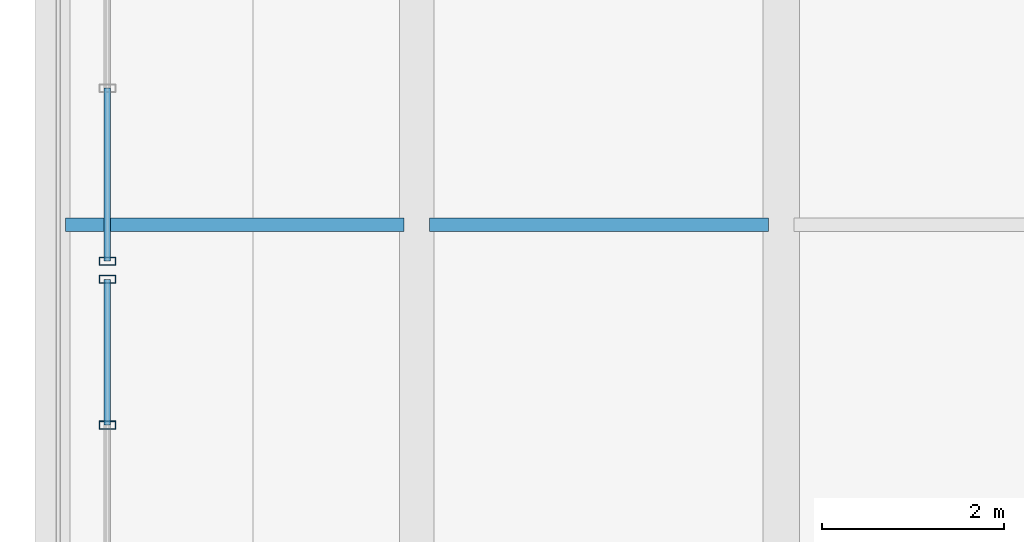
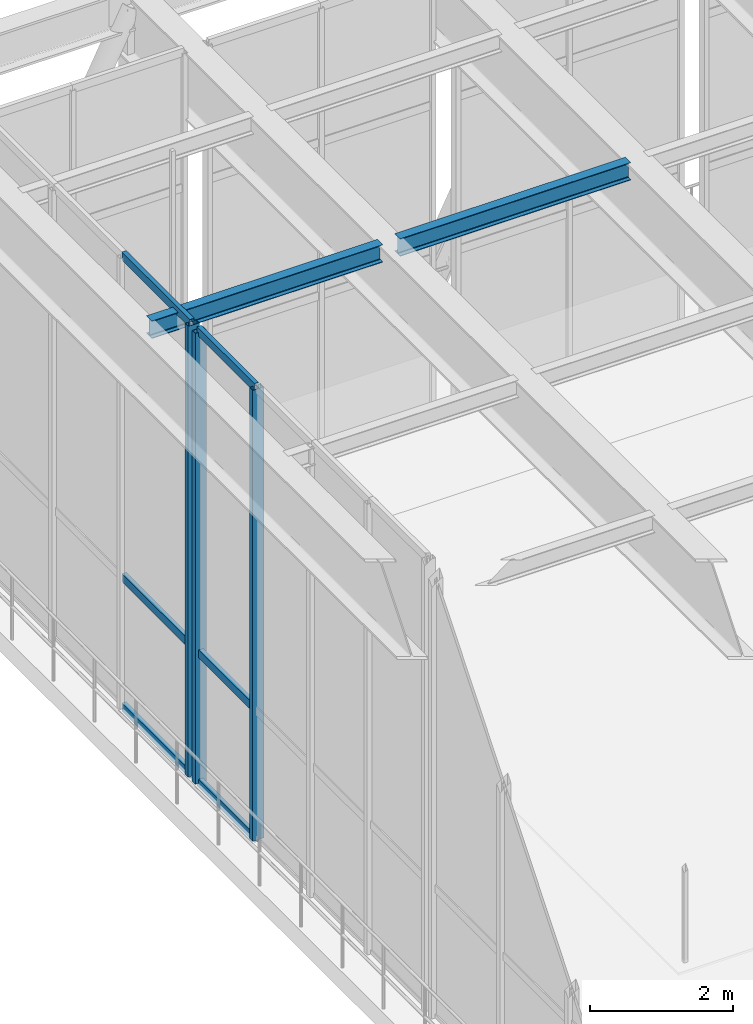
# One storey, part 26 of 138: 9 members, 2 beams, 2 elements without a shape of their own.
"""IFC4 building model written with IfcOpenShell, lengths in metres."""

from ifc_helpers import new_model, si_unit, direction, frame, origin, origin_2d, place, context, subcontext, project, spatial, hollow_rectangle, i_section, extrude, material, material_profile, profile_set, type_object, element, aggregate, save


model = new_model("IFC4")

# Units and contexts
model_context = context("Model", 3, precision=1e-05, world=origin(), true_north=direction((0.0, 1.0)))
body_context = subcontext(model_context, "Body", "Model", "MODEL_VIEW")
ifc_project = project(units=[si_unit("LENGTHUNIT", "METRE"), si_unit("AREAUNIT", "SQUARE_METRE"), si_unit("VOLUMEUNIT", "CUBIC_METRE"), si_unit("PLANEANGLEUNIT", "RADIAN"), si_unit("MASSUNIT", "GRAM", prefix="KILO")], contexts=[model_context])

# Site, building, storey
site_placement = place(None, origin())
site = spatial("IfcSite", under=ifc_project, at=site_placement, CompositionType="ELEMENT")
building_placement = place(site_placement, origin())
building = spatial("IfcBuilding", under=site, at=building_placement, Name="Sundkrona Museum", CompositionType="ELEMENT")
storey_placement = place(building_placement, frame((0.0, 0.0, 9.60009765625)))
storey = spatial("IfcBuildingStorey", under=building, at=storey_placement, Name="L02", CompositionType="ELEMENT", Elevation=9.60009765625)

# Beams
ifc_material_1 = material(Name="Steel S355J2", Category="steel")
ifc_material_profile_1 = material_profile(ifc_material_1, i_section(OverallWidth=0.14990234375, OverallDepth=0.300048828125, WebThickness=0.007080078125, FlangeThickness=0.0107421875, FilletRadius=0.014892578125, at=origin_2d()), Name="IPE 300")
ifc_profile_set_1 = profile_set([ifc_material_profile_1], Name="Steel S355J2")
beam_type = type_object("IfcBeamType", Name="J-IPE300", PredefinedType="JOIST", material=ifc_profile_set_1)
for number, where, z_axis, x_axis, name in (
    (1, (4.139892578125, 46.800048828125, 7.52490234375), (1.0, 0.0, 0.0), (0.0, 1.0, 0.0), "L02 Cantilever Floor Joist"),
    (2, (8.139892578125, 46.800048828125, 7.52490234375), (1.0, 0.0, 0.0), (0.0, 1.0, 0.0), "L02 Cantilever Floor Joist"),
):
    element("IfcBeam", number, at=place(storey_placement, frame(where, z_axis=z_axis, x_axis=x_axis)), inside=storey, type_object=beam_type, Name=name, PredefinedType="JOIST", context=body_context, shape_type="SweptSolid", body=[
        extrude(i_section(OverallWidth=0.14990234375, OverallDepth=0.300048828125, WebThickness=0.007080078125, FlangeThickness=0.0107421875, FilletRadius=0.014892578125, at=origin_2d()), origin(), (0.0, 0.0, 1.0), 3.72021484375),
    ])

# Curtain wall, members
ifc_material_2 = material(Name="Unitised Aluminium-Steel and Ceramic-Clad Curtain Walling", Category="steel")
curtain_wall_type = type_object("IfcCurtainWallType", Name="CW-CV-68x74", PredefinedType="NOTDEFINED", material=ifc_material_2)
curtain_wall_1_placement = place(storey_placement, origin())
curtain_wall_1 = element("IfcCurtainWall", 3, at=curtain_wall_1_placement, inside=storey, type_object=curtain_wall_type, Name="L02 Curtain Wall CW-CV-TIP-L02-39", PredefinedType="NOTDEFINED")
ifc_material_3 = material(Name="Aluminium EN AW-6060 T66", Category="aluminium")
ifc_material_profile_2 = material_profile(ifc_material_3, hollow_rectangle(XDim=0.090087890625, YDim=0.179931640625, WallThickness=0.00634765625, at=origin_2d()), Name="RHS 180x90x6.3")
ifc_profile_set_2 = profile_set([ifc_material_profile_2], Name="Aluminium EN AW-6060 T66")
member_type_1 = type_object("IfcMemberType", Name="ML-180", PredefinedType="MULLION", material=ifc_profile_set_2)
member_1_placement = place(storey_placement, frame((4.60009765625, 44.60009765625, -0.004150390625), z_axis=(0.0, 0.0, 1.0), x_axis=(0.0, 1.0, 0.0)))
member_1 = element("IfcMember", 4, at=member_1_placement, type_object=member_type_1, Name="CW-CV-TIP-L02-39 Mullion 04", PredefinedType="MULLION", context=body_context, shape_type="SweptSolid", body=[
    extrude(hollow_rectangle(XDim=0.090087890625, YDim=0.179931640625, WallThickness=0.00634765625, at=origin_2d()), origin(), (0.0, 0.0, 1.0), 7.68310546875),
])
member_2_placement = place(storey_placement, frame((4.60009765625, 46.199951171875, -0.004150390625), z_axis=(0.0, 0.0, 1.0), x_axis=(0.0, 1.0, 0.0)))
member_2 = element("IfcMember", 5, at=member_2_placement, type_object=member_type_1, Name="CW-CV-TIP-L02-39 Mullion 05", PredefinedType="MULLION", context=body_context, shape_type="SweptSolid", body=[
    extrude(hollow_rectangle(XDim=0.090087890625, YDim=0.179931640625, WallThickness=0.00634765625, at=origin_2d()), origin(), (0.0, 0.0, 1.0), 7.68310546875),
])

# Curtain wall, member
curtain_wall_2_placement = place(storey_placement, origin())
curtain_wall_2 = element("IfcCurtainWall", 6, at=curtain_wall_2_placement, inside=storey, type_object=curtain_wall_type, Name="L02 Curtain Wall CW-CV-TIP-L02-46", PredefinedType="NOTDEFINED")
member_3_placement = place(storey_placement, frame((4.60009765625, 46.39990234375, -0.004150390625), z_axis=(0.0, 0.0, 1.0), x_axis=(0.0, 1.0, 0.0)))
member_3 = element("IfcMember", 7, at=member_3_placement, type_object=member_type_1, Name="CW-CV-TIP-L02-46 Mullion 01", PredefinedType="MULLION", context=body_context, shape_type="SweptSolid", body=[
    extrude(hollow_rectangle(XDim=0.090087890625, YDim=0.179931640625, WallThickness=0.00634765625, at=origin_2d()), origin(), (0.0, 0.0, 1.0), 7.68310546875),
])

# Member
ifc_material_profile_3 = material_profile(ifc_material_3, hollow_rectangle(XDim=0.070068359375, YDim=0.139892578125, WallThickness=0.0048828125, at=origin_2d()), Name="RHS 140x70x5.0")
ifc_profile_set_3 = profile_set([ifc_material_profile_3], Name="Aluminium EN AW-6060 T66")
member_type_2 = type_object("IfcMemberType", Name="TR-140", PredefinedType="USERDEFINED", material=ifc_profile_set_3)
member_4_placement = place(storey_placement, frame((4.60009765625, 44.60009765625, -0.004150390625), z_axis=(0.0, 1.0, 0.0), x_axis=(-1.0, 0.0, 0.0)))
member_4 = element("IfcMember", 8, at=member_4_placement, type_object=member_type_2, Name="CW-CV-TIP-L02-39 Transom 10", ObjectType="TRANSOM", PredefinedType="USERDEFINED", context=body_context, shape_type="SweptSolid", body=[
    extrude(hollow_rectangle(XDim=0.070068359375, YDim=0.139892578125, WallThickness=0.0048828125, at=origin_2d()), origin(), (0.0, 0.0, 1.0), 1.599853515625),
])

member_5_placement = place(storey_placement, frame((4.60009765625, 44.60009765625, 2.199951171875), z_axis=(0.0, 1.0, 0.0), x_axis=(-1.0, 0.0, 0.0)))
member_5 = element("IfcMember", 9, at=member_5_placement, type_object=member_type_2, Name="CW-CV-TIP-L02-39 Transom 11", ObjectType="TRANSOM", PredefinedType="USERDEFINED", context=body_context, shape_type="SweptSolid", body=[
    extrude(hollow_rectangle(XDim=0.070068359375, YDim=0.139892578125, WallThickness=0.0048828125, at=origin_2d()), origin(), (0.0, 0.0, 1.0), 1.599853515625),
])

member_6_placement = place(storey_placement, frame((4.60009765625, 44.60009765625, 7.678955078125), z_axis=(0.0, 1.0, 0.0), x_axis=(-1.0, 0.0, 0.0)))
member_6 = element("IfcMember", 10, at=member_6_placement, type_object=member_type_2, Name="CW-CV-TIP-L02-39 Transom 12", ObjectType="TRANSOM", PredefinedType="USERDEFINED", context=body_context, shape_type="SweptSolid", body=[
    extrude(hollow_rectangle(XDim=0.070068359375, YDim=0.139892578125, WallThickness=0.0048828125, at=origin_2d()), origin(), (0.0, 0.0, 1.0), 1.599853515625),
])

aggregate(curtain_wall_1, [member_1, member_2, member_4, member_5, member_6])

member_7_placement = place(storey_placement, frame((4.60009765625, 46.39990234375, -0.004150390625), z_axis=(0.0, 1.0, 0.0), x_axis=(-1.0, 0.0, 0.0)))
member_7 = element("IfcMember", 11, at=member_7_placement, type_object=member_type_2, Name="CW-CV-TIP-L02-46 Transom 01", ObjectType="TRANSOM", PredefinedType="USERDEFINED", context=body_context, shape_type="SweptSolid", body=[
    extrude(hollow_rectangle(XDim=0.070068359375, YDim=0.139892578125, WallThickness=0.0048828125, at=origin_2d()), origin(), (0.0, 0.0, 1.0), 1.900146484375),
])

member_8_placement = place(storey_placement, frame((4.60009765625, 46.39990234375, 2.199951171875), z_axis=(0.0, 1.0, 0.0), x_axis=(-1.0, 0.0, 0.0)))
member_8 = element("IfcMember", 12, at=member_8_placement, type_object=member_type_2, Name="CW-CV-TIP-L02-46 Transom 02", ObjectType="TRANSOM", PredefinedType="USERDEFINED", context=body_context, shape_type="SweptSolid", body=[
    extrude(hollow_rectangle(XDim=0.070068359375, YDim=0.139892578125, WallThickness=0.0048828125, at=origin_2d()), origin(), (0.0, 0.0, 1.0), 1.900146484375),
])

member_9_placement = place(storey_placement, frame((4.60009765625, 46.39990234375, 7.678955078125), z_axis=(0.0, 1.0, 0.0), x_axis=(-1.0, 0.0, 0.0)))
member_9 = element("IfcMember", 13, at=member_9_placement, type_object=member_type_2, Name="CW-CV-TIP-L02-46 Transom 03", ObjectType="TRANSOM", PredefinedType="USERDEFINED", context=body_context, shape_type="SweptSolid", body=[
    extrude(hollow_rectangle(XDim=0.070068359375, YDim=0.139892578125, WallThickness=0.0048828125, at=origin_2d()), origin(), (0.0, 0.0, 1.0), 1.900146484375),
])

aggregate(curtain_wall_2, [member_3, member_7, member_8, member_9])

save(model, "model.ifc")
